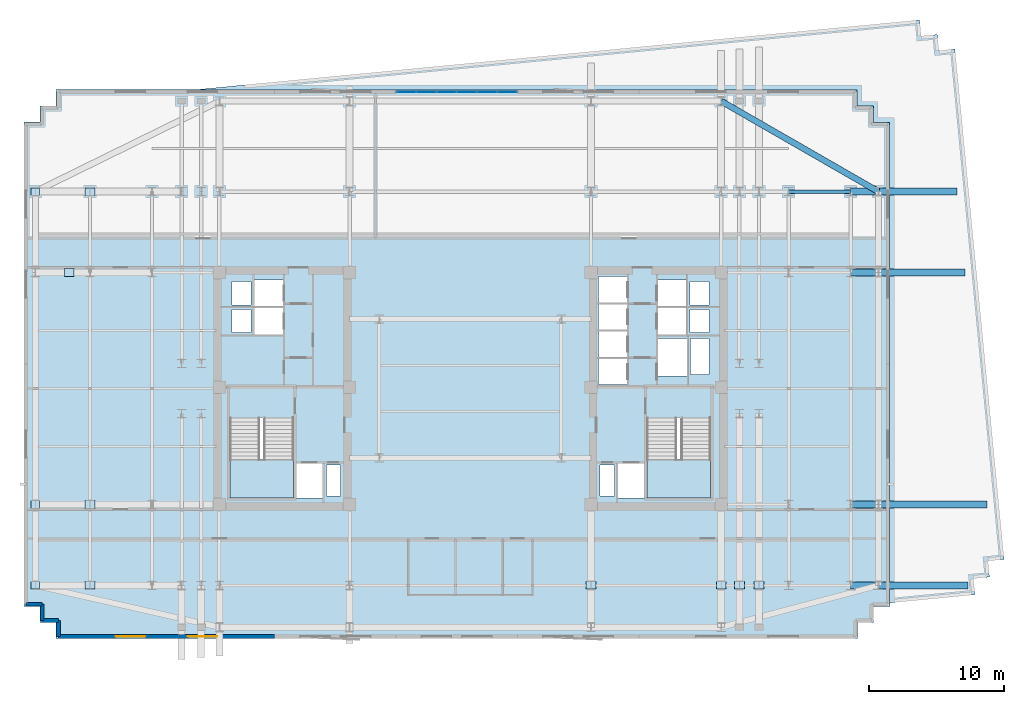
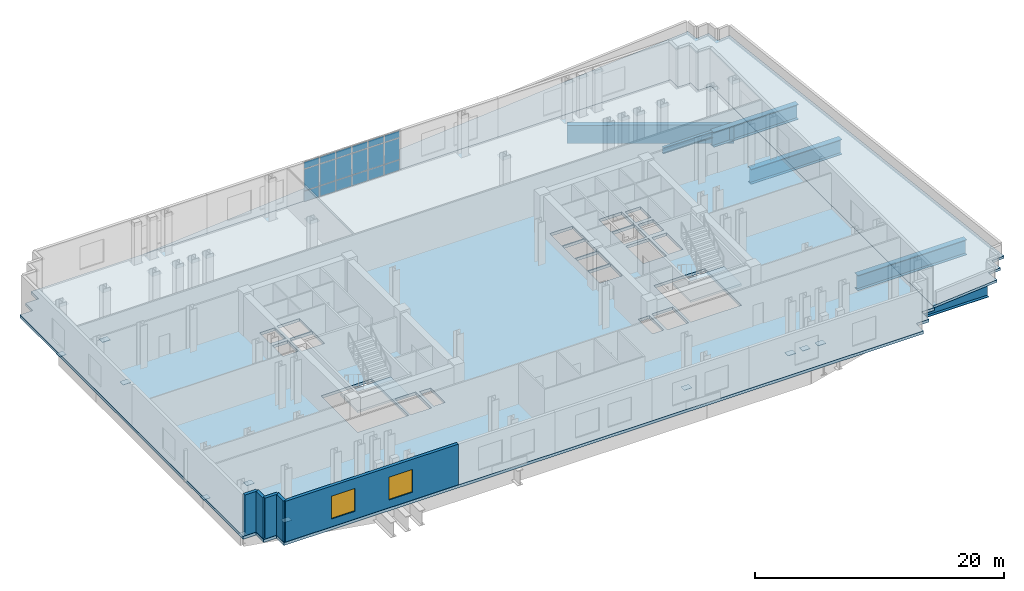
# One storey, part 5 of 14: 29 plates, 6 beams, 5 walls, 4 slabs, 2 windows, 2 openings, 3 elements without a shape of their own.
"""IFC4 building model written with IfcOpenShell, lengths in metres."""

from ifc_helpers import new_model, si_unit, direction, frame, frame_2d, origin, origin_2d, place, context, subcontext, project, spatial, polyline, rectangle, i_section, outline, extrude, material, layer, layer_set, material_profile, profile_set, type_object, element, fill, aggregate, save


model = new_model("IFC4")

# Units and contexts
model_context = context("Model", 3, precision=1e-05, world=origin(), true_north=direction((0.0, 1.0)))
body_context = subcontext(model_context, "Body", "Model", "MODEL_VIEW")
ifc_project = project(units=[si_unit("LENGTHUNIT", "METRE"), si_unit("AREAUNIT", "SQUARE_METRE"), si_unit("VOLUMEUNIT", "CUBIC_METRE"), si_unit("PLANEANGLEUNIT", "RADIAN"), si_unit("MASSUNIT", "GRAM", prefix="KILO")], contexts=[model_context])

# Site, building, storey
site_placement = place(None, origin())
site = spatial("IfcSite", under=ifc_project, at=site_placement, CompositionType="ELEMENT")
building_placement = place(site_placement, origin())
building = spatial("IfcBuilding", under=site, at=building_placement, Name="Velakula Bourse", CompositionType="ELEMENT")
storey_placement = place(building_placement, frame((0.0, 0.0, 116.64990234375)))
storey = spatial("IfcBuildingStorey", under=building, at=storey_placement, Name="L31", CompositionType="ELEMENT", Elevation=116.64990234375)

# Beams
ifc_material_1 = material(Name="Steel IS 2062 Grade 350 (E350)", Category="steel")
ifc_material_profile_1 = material_profile(ifc_material_1, i_section(OverallWidth=0.25, OverallDepth=0.60009765625, WebThickness=0.01123046875, FlangeThickness=0.021240234375, at=origin_2d()), Name="Steel IS 2062 Grade 350 (E350)")
ifc_profile_set_1 = profile_set([ifc_material_profile_1], Name="Steel IS 2062 Grade 350 (E350)")
beam_type_1 = type_object("IfcBeamType", Name="BM-GRD-600M", PredefinedType="BEAM", material=ifc_profile_set_1)
beam_1_placement = place(storey_placement, frame((23.60009765625, 14.60009765625, -0.579833984375), z_axis=(1.0, 0.0, 0.0), x_axis=(0.0, 1.0, 0.0)))
element("IfcBeam", 1, at=beam_1_placement, inside=storey, type_object=beam_type_1, Name="L31 Fulcrum Grid Girder WNG-EN2", PredefinedType="BEAM", context=body_context, shape_type="SweptSolid", body=[
    extrude(i_section(OverallWidth=0.25, OverallDepth=0.60009765625, WebThickness=0.01123046875, FlangeThickness=0.021240234375, at=origin_2d()), origin(), (0.0, 0.0, 1.0), 4.599853515625),
])
ifc_material_2 = material(Name="Concrete M50 (fck 50 MPa)", Category="concrete")
ifc_material_profile_2 = material_profile(ifc_material_2, rectangle(XDim=0.449951171875, YDim=1.800048828125, at=origin_2d()), Name="Concrete M50 (fck 50 MPa)")
ifc_profile_set_2 = profile_set([ifc_material_profile_2], Name="Concrete M50 (fck 50 MPa)")
beam_type_2 = type_object("IfcBeamType", Name="SPN-TRF-1800", PredefinedType="SPANDREL", material=ifc_profile_set_2)
beam_2_placement = place(storey_placement, frame((30.25, 14.60009765625, -1.179931640625), z_axis=(-0.866865871572, 0.498541433286, 0.0), x_axis=(-0.498541433286, -0.866865871572, 0.0)))
element("IfcBeam", 2, at=beam_2_placement, inside=storey, type_object=beam_type_2, Name="L31 Brick-Faced Precast Spandrel E4-N4", PredefinedType="SPANDREL", context=body_context, shape_type="SweptSolid", body=[
    extrude(rectangle(XDim=0.449951171875, YDim=1.800048828125, at=origin_2d()), origin(), (0.0, 0.0, 1.0), 13.439208984375),
])
ifc_material_3 = material(Name="Steel IS 2062 Grade 450 (E450)", Category="steel")
ifc_material_profile_3 = material_profile(ifc_material_3, i_section(OverallWidth=0.52001953125, OverallDepth=1.5, WebThickness=0.030029296875, FlangeThickness=0.048095703125, at=origin_2d()), Name="Steel IS 2062 Grade 450 (E450)")
ifc_profile_set_3 = profile_set([ifc_material_profile_3], Name="Steel IS 2062 Grade 450 (E450)")
beam_type_3 = type_object("IfcBeamType", Name="TB-CANT-1500", PredefinedType="BEAM", material=ifc_profile_set_3)
beam_3_placement = place(storey_placement, frame((28.199951171875, -14.60009765625, -1.02978515625), z_axis=(1.0, 0.0, 0.0), x_axis=(0.0, 1.0, 0.0)))
element("IfcBeam", 3, at=beam_3_placement, inside=storey, type_object=beam_type_3, Name="L31 Block B3 Transfer Girder E1", PredefinedType="BEAM", context=body_context, shape_type="SweptSolid", body=[
    extrude(i_section(OverallWidth=0.52001953125, OverallDepth=1.5, WebThickness=0.030029296875, FlangeThickness=0.048095703125, at=origin_2d()), origin(), (0.0, 0.0, 1.0), 8.688232421875),
])
beam_4_placement = place(storey_placement, frame((28.199951171875, -8.60009765625, -1.02978515625), z_axis=(1.0, 0.0, 0.0), x_axis=(0.0, 1.0, 0.0)))
element("IfcBeam", 4, at=beam_4_placement, inside=storey, type_object=beam_type_3, Name="L31 Block B3 Transfer Girder E2", PredefinedType="BEAM", context=body_context, shape_type="SweptSolid", body=[
    extrude(i_section(OverallWidth=0.52001953125, OverallDepth=1.5, WebThickness=0.030029296875, FlangeThickness=0.048095703125, at=origin_2d()), origin(), (0.0, 0.0, 1.0), 10.119873046875),
])
beam_5_placement = place(storey_placement, frame((28.199951171875, 8.60009765625, -1.02978515625), z_axis=(1.0, 0.0, 0.0), x_axis=(0.0, 1.0, 0.0)))
element("IfcBeam", 5, at=beam_5_placement, inside=storey, type_object=beam_type_3, Name="L31 Block B3 Transfer Girder E3", PredefinedType="BEAM", context=body_context, shape_type="SweptSolid", body=[
    extrude(i_section(OverallWidth=0.52001953125, OverallDepth=1.5, WebThickness=0.030029296875, FlangeThickness=0.048095703125, at=origin_2d()), origin(), (0.0, 0.0, 1.0), 8.463623046875),
])
beam_6_placement = place(storey_placement, frame((28.199951171875, 14.60009765625, -1.02978515625), z_axis=(1.0, 0.0, 0.0), x_axis=(0.0, 1.0, 0.0)))
element("IfcBeam", 6, at=beam_6_placement, inside=storey, type_object=beam_type_3, Name="L31 Block B3 Transfer Girder E4", PredefinedType="BEAM", context=body_context, shape_type="SweptSolid", body=[
    extrude(i_section(OverallWidth=0.52001953125, OverallDepth=1.5, WebThickness=0.030029296875, FlangeThickness=0.048095703125, at=origin_2d()), origin(), (0.0, 0.0, 1.0), 7.885986328125),
])

# Plates
ifc_layer_1 = layer(ifc_material_1, 0.0400390625, Name="Steel IS 2062 Grade 350 (E350)", Category="steel")
ifc_layer_set_1 = layer_set([ifc_layer_1], Name="Steel IS 2062 Grade 350 (E350)")
plate_type_1 = type_object("IfcPlateType", Name="PLT-NODE-TRF", PredefinedType="USERDEFINED", material=ifc_layer_set_1)
for number, where, z_axis, x_axis, name in (
    (7, (8.949951171875, -14.60009765625, -1.0498046875), (0.0, 0.0, 1.0), (0.0, 1.0, 0.0), "L31 Cantilever Fulcrum Node Gusset Plate S3"),
    (8, (18.60009765625, -14.60009765625, -1.0498046875), (0.0, 0.0, 1.0), (0.0, 1.0, 0.0), "L31 Cantilever Fulcrum Node Gusset Plate S4"),
):
    element("IfcPlate", number, at=place(storey_placement, frame(where, z_axis=z_axis, x_axis=x_axis)), inside=storey, type_object=plate_type_1, Name=name, ObjectType="GUSSET PLATE", PredefinedType="USERDEFINED", context=body_context, shape_type="SweptSolid", body=[
        extrude(rectangle(XDim=0.56005859375, YDim=0.719970703125, at=origin_2d()), origin(), (0.0, 0.0, 1.0), 0.0400390625),
    ])
plate_1_placement = place(storey_placement, frame((-32.25, -14.60009765625, -1.0498046875), z_axis=(0.0, 0.0, 1.0), x_axis=(-1.0, 0.0, 0.0)))
element("IfcPlate", 9, at=plate_1_placement, inside=storey, type_object=plate_type_1, Name="L31 Transfer Raking Strut Head Gusset W1", ObjectType="GUSSET PLATE", PredefinedType="USERDEFINED", context=body_context, shape_type="SweptSolid", body=[
    extrude(rectangle(XDim=0.639892578125, YDim=0.56005859375, at=origin_2d()), origin(), (0.0, 0.0, 1.0), 0.0400390625),
])
plate_2_placement = place(storey_placement, frame((-28.199951171875, -14.60009765625, -1.0498046875), z_axis=(0.0, 0.0, 1.0), x_axis=(1.0, 0.0, 0.0)))
element("IfcPlate", 10, at=plate_2_placement, inside=storey, type_object=plate_type_1, Name="L31 Cantilever Fulcrum Node Gusset Plate W1", ObjectType="GUSSET PLATE", PredefinedType="USERDEFINED", context=body_context, shape_type="SweptSolid", body=[
    extrude(rectangle(XDim=0.719970703125, YDim=0.56005859375, at=origin_2d()), origin(), (0.0, 0.0, 1.0), 0.0400390625),
])
plate_3_placement = place(storey_placement, frame((-32.25, -8.60009765625, -1.0498046875), z_axis=(0.0, 0.0, 1.0), x_axis=(-1.0, 0.0, 0.0)))
element("IfcPlate", 11, at=plate_3_placement, inside=storey, type_object=plate_type_1, Name="L31 Transfer Raking Strut Head Gusset W2", ObjectType="GUSSET PLATE", PredefinedType="USERDEFINED", context=body_context, shape_type="SweptSolid", body=[
    extrude(rectangle(XDim=0.639892578125, YDim=0.56005859375, at=origin_2d()), origin(), (0.0, 0.0, 1.0), 0.0400390625),
])
for number, where, z_axis, x_axis, name in (
    (12, (-28.199951171875, -8.60009765625, -1.0498046875), (0.0, 0.0, 1.0), (1.0, 0.0, 0.0), "L31 Cantilever Fulcrum Node Gusset Plate W2"),
    (13, (-29.7421875, 8.60009765625, -1.0498046875), (0.0, 0.0, 1.0), (1.0, 0.0, 0.0), "L31 Cantilever Fulcrum Node Gusset Plate W3"),
):
    element("IfcPlate", number, at=place(storey_placement, frame(where, z_axis=z_axis, x_axis=x_axis)), inside=storey, type_object=plate_type_1, Name=name, ObjectType="GUSSET PLATE", PredefinedType="USERDEFINED", context=body_context, shape_type="SweptSolid", body=[
        extrude(rectangle(XDim=0.719970703125, YDim=0.56005859375, at=origin_2d()), origin(), (0.0, 0.0, 1.0), 0.0400390625),
    ])
plate_4_placement = place(storey_placement, frame((-32.25, 14.60009765625, -1.0498046875), z_axis=(0.0, 0.0, 1.0), x_axis=(-1.0, 0.0, 0.0)))
element("IfcPlate", 14, at=plate_4_placement, inside=storey, type_object=plate_type_1, Name="L31 Transfer Raking Strut Head Gusset W4", ObjectType="GUSSET PLATE", PredefinedType="USERDEFINED", context=body_context, shape_type="SweptSolid", body=[
    extrude(rectangle(XDim=0.639892578125, YDim=0.56005859375, at=origin_2d()), origin(), (0.0, 0.0, 1.0), 0.0400390625),
])
plate_5_placement = place(storey_placement, frame((-28.199951171875, 14.60009765625, -1.0498046875), z_axis=(0.0, 0.0, 1.0), x_axis=(1.0, 0.0, 0.0)))
element("IfcPlate", 15, at=plate_5_placement, inside=storey, type_object=plate_type_1, Name="L31 Cantilever Fulcrum Node Gusset Plate W4", ObjectType="GUSSET PLATE", PredefinedType="USERDEFINED", context=body_context, shape_type="SweptSolid", body=[
    extrude(rectangle(XDim=0.719970703125, YDim=0.56005859375, at=origin_2d()), origin(), (0.0, 0.0, 1.0), 0.0400390625),
])
for number, where, z_axis, x_axis, name in (
    (16, (19.949951171875, -14.60009765625, -1.0498046875), (0.0, 0.0, 1.0), (0.0, 1.0, 0.0), "L31 Cantilever Fulcrum Node Gusset Plate P03"),
    (17, (21.39990234375, -14.60009765625, -1.0498046875), (0.0, 0.0, 1.0), (0.0, 1.0, 0.0), "L31 Cantilever Fulcrum Node Gusset Plate P04"),
):
    element("IfcPlate", number, at=place(storey_placement, frame(where, z_axis=z_axis, x_axis=x_axis)), inside=storey, type_object=plate_type_1, Name=name, ObjectType="GUSSET PLATE", PredefinedType="USERDEFINED", context=body_context, shape_type="SweptSolid", body=[
        extrude(rectangle(XDim=0.56005859375, YDim=0.719970703125, at=origin_2d()), origin(), (0.0, 0.0, 1.0), 0.0400390625),
    ])

# Curtain wall, plates
ifc_material_4 = material(Name="Anodised bronze architectural aluminium", Category="aluminium")
ifc_layer_2 = layer(ifc_material_4, 0.1650390625, Name="Anodised bronze architectural aluminium", Category="aluminium")
ifc_layer_set_2 = layer_set([ifc_layer_2], Name="Anodised bronze architectural aluminium")
curtain_wall_type = type_object("IfcCurtainWallType", Name="CW-SL1", PredefinedType="NOTDEFINED", material=ifc_layer_set_2)
curtain_wall_placement = place(storey_placement, origin())
curtain_wall = element("IfcCurtainWall", 18, at=curtain_wall_placement, inside=storey, type_object=curtain_wall_type, Name="L31 Sky-Lobby Feature Curtain Wall", PredefinedType="NOTDEFINED")
ifc_material_5 = material(Name="Double-glazed solar-control Low-E glass", Category="glass")
ifc_layer_3 = layer(ifc_material_5, 0.02490234375, Name="Double-glazed solar-control Low-E glass", Category="glass")
ifc_layer_set_3 = layer_set([ifc_layer_3], Name="Double-glazed solar-control Low-E glass")
plate_type_2 = type_object("IfcPlateType", Name="PNL-CW-SL1", PredefinedType="CURTAIN_PANEL", material=ifc_layer_set_3)
plate_6_placement = place(storey_placement, frame((-4.735107421875, 21.989990234375, 0.06005859375), z_axis=(0.0, 0.0, 1.0), x_axis=(1.0, 0.0, 0.0)))
plate_6 = element("IfcPlate", 19, at=plate_6_placement, type_object=plate_type_2, Name="CW-SL1 panel 1.1", PredefinedType="CURTAIN_PANEL", context=body_context, shape_type="SweptSolid", body=[
    extrude(rectangle(XDim=1.409912109375, YDim=0.028076171875, at=origin_2d()), origin(), (0.0, 0.0, 1.0), 1.010009765625),
])
plate_7_placement = place(storey_placement, frame((-4.735107421875, 21.989990234375, 1.1298828125), z_axis=(0.0, 0.0, 1.0), x_axis=(1.0, 0.0, 0.0)))
plate_7 = element("IfcPlate", 20, at=plate_7_placement, type_object=plate_type_2, Name="CW-SL1 panel 1.2", PredefinedType="CURTAIN_PANEL", context=body_context, shape_type="SweptSolid", body=[
    extrude(rectangle(XDim=1.409912109375, YDim=0.028076171875, at=origin_2d()), origin(), (0.0, 0.0, 1.0), 2.090087890625),
])
plate_8_placement = place(storey_placement, frame((-4.735107421875, 21.989990234375, 3.2802734375), z_axis=(0.0, 0.0, 1.0), x_axis=(1.0, 0.0, 0.0)))
plate_8 = element("IfcPlate", 21, at=plate_8_placement, type_object=plate_type_2, Name="CW-SL1 panel 1.3", PredefinedType="CURTAIN_PANEL", context=body_context, shape_type="SweptSolid", body=[
    extrude(rectangle(XDim=1.409912109375, YDim=0.028076171875, at=origin_2d()), origin(), (0.0, 0.0, 1.0), 0.659912109375),
])
plate_9_placement = place(storey_placement, frame((-3.25, 21.989990234375, 0.06005859375), z_axis=(0.0, 0.0, 1.0), x_axis=(1.0, 0.0, 0.0)))
plate_9 = element("IfcPlate", 22, at=plate_9_placement, type_object=plate_type_2, Name="CW-SL1 panel 2.1", PredefinedType="CURTAIN_PANEL", context=body_context, shape_type="SweptSolid", body=[
    extrude(rectangle(XDim=1.43994140625, YDim=0.028076171875, at=origin_2d()), origin(), (0.0, 0.0, 1.0), 1.010009765625),
])
plate_10_placement = place(storey_placement, frame((-3.25, 21.989990234375, 1.1298828125), z_axis=(0.0, 0.0, 1.0), x_axis=(1.0, 0.0, 0.0)))
plate_10 = element("IfcPlate", 23, at=plate_10_placement, type_object=plate_type_2, Name="CW-SL1 panel 2.2", PredefinedType="CURTAIN_PANEL", context=body_context, shape_type="SweptSolid", body=[
    extrude(rectangle(XDim=1.43994140625, YDim=0.028076171875, at=origin_2d()), origin(), (0.0, 0.0, 1.0), 2.090087890625),
])
plate_11_placement = place(storey_placement, frame((-3.25, 21.989990234375, 3.2802734375), z_axis=(0.0, 0.0, 1.0), x_axis=(1.0, 0.0, 0.0)))
plate_11 = element("IfcPlate", 24, at=plate_11_placement, type_object=plate_type_2, Name="CW-SL1 panel 2.3", PredefinedType="CURTAIN_PANEL", context=body_context, shape_type="SweptSolid", body=[
    extrude(rectangle(XDim=1.43994140625, YDim=0.028076171875, at=origin_2d()), origin(), (0.0, 0.0, 1.0), 0.659912109375),
])
plate_12_placement = place(storey_placement, frame((-1.75, 21.989990234375, 0.06005859375), z_axis=(0.0, 0.0, 1.0), x_axis=(1.0, 0.0, 0.0)))
plate_12 = element("IfcPlate", 25, at=plate_12_placement, type_object=plate_type_2, Name="CW-SL1 panel 3.1", PredefinedType="CURTAIN_PANEL", context=body_context, shape_type="SweptSolid", body=[
    extrude(rectangle(XDim=1.43994140625, YDim=0.028076171875, at=origin_2d()), origin(), (0.0, 0.0, 1.0), 1.010009765625),
])
plate_13_placement = place(storey_placement, frame((-1.75, 21.989990234375, 1.1298828125), z_axis=(0.0, 0.0, 1.0), x_axis=(1.0, 0.0, 0.0)))
plate_13 = element("IfcPlate", 26, at=plate_13_placement, type_object=plate_type_2, Name="CW-SL1 panel 3.2", PredefinedType="CURTAIN_PANEL", context=body_context, shape_type="SweptSolid", body=[
    extrude(rectangle(XDim=1.43994140625, YDim=0.028076171875, at=origin_2d()), origin(), (0.0, 0.0, 1.0), 2.090087890625),
])
plate_14_placement = place(storey_placement, frame((-1.75, 21.989990234375, 3.2802734375), z_axis=(0.0, 0.0, 1.0), x_axis=(1.0, 0.0, 0.0)))
plate_14 = element("IfcPlate", 27, at=plate_14_placement, type_object=plate_type_2, Name="CW-SL1 panel 3.3", PredefinedType="CURTAIN_PANEL", context=body_context, shape_type="SweptSolid", body=[
    extrude(rectangle(XDim=1.43994140625, YDim=0.028076171875, at=origin_2d()), origin(), (0.0, 0.0, 1.0), 0.659912109375),
])
plate_15_placement = place(storey_placement, frame((-0.25, 21.989990234375, 0.06005859375), z_axis=(0.0, 0.0, 1.0), x_axis=(1.0, 0.0, 0.0)))
plate_15 = element("IfcPlate", 28, at=plate_15_placement, type_object=plate_type_2, Name="CW-SL1 panel 4.1", PredefinedType="CURTAIN_PANEL", context=body_context, shape_type="SweptSolid", body=[
    extrude(rectangle(XDim=1.43994140625, YDim=0.028076171875, at=origin_2d()), origin(), (0.0, 0.0, 1.0), 1.010009765625),
])
plate_16_placement = place(storey_placement, frame((-0.25, 21.989990234375, 1.1298828125), z_axis=(0.0, 0.0, 1.0), x_axis=(1.0, 0.0, 0.0)))
plate_16 = element("IfcPlate", 29, at=plate_16_placement, type_object=plate_type_2, Name="CW-SL1 panel 4.2", PredefinedType="CURTAIN_PANEL", context=body_context, shape_type="SweptSolid", body=[
    extrude(rectangle(XDim=1.43994140625, YDim=0.028076171875, at=origin_2d()), origin(), (0.0, 0.0, 1.0), 2.090087890625),
])
plate_17_placement = place(storey_placement, frame((-0.25, 21.989990234375, 3.2802734375), z_axis=(0.0, 0.0, 1.0), x_axis=(1.0, 0.0, 0.0)))
plate_17 = element("IfcPlate", 30, at=plate_17_placement, type_object=plate_type_2, Name="CW-SL1 panel 4.3", PredefinedType="CURTAIN_PANEL", context=body_context, shape_type="SweptSolid", body=[
    extrude(rectangle(XDim=1.43994140625, YDim=0.028076171875, at=origin_2d()), origin(), (0.0, 0.0, 1.0), 0.659912109375),
])
plate_18_placement = place(storey_placement, frame((1.25, 21.989990234375, 0.06005859375), z_axis=(0.0, 0.0, 1.0), x_axis=(1.0, 0.0, 0.0)))
plate_18 = element("IfcPlate", 31, at=plate_18_placement, type_object=plate_type_2, Name="CW-SL1 panel 5.1", PredefinedType="CURTAIN_PANEL", context=body_context, shape_type="SweptSolid", body=[
    extrude(rectangle(XDim=1.43994140625, YDim=0.028076171875, at=origin_2d()), origin(), (0.0, 0.0, 1.0), 1.010009765625),
])
plate_19_placement = place(storey_placement, frame((1.25, 21.989990234375, 1.1298828125), z_axis=(0.0, 0.0, 1.0), x_axis=(1.0, 0.0, 0.0)))
plate_19 = element("IfcPlate", 32, at=plate_19_placement, type_object=plate_type_2, Name="CW-SL1 panel 5.2", PredefinedType="CURTAIN_PANEL", context=body_context, shape_type="SweptSolid", body=[
    extrude(rectangle(XDim=1.43994140625, YDim=0.028076171875, at=origin_2d()), origin(), (0.0, 0.0, 1.0), 2.090087890625),
])
plate_20_placement = place(storey_placement, frame((1.25, 21.989990234375, 3.2802734375), z_axis=(0.0, 0.0, 1.0), x_axis=(1.0, 0.0, 0.0)))
plate_20 = element("IfcPlate", 33, at=plate_20_placement, type_object=plate_type_2, Name="CW-SL1 panel 5.3", PredefinedType="CURTAIN_PANEL", context=body_context, shape_type="SweptSolid", body=[
    extrude(rectangle(XDim=1.43994140625, YDim=0.028076171875, at=origin_2d()), origin(), (0.0, 0.0, 1.0), 0.659912109375),
])
plate_21_placement = place(storey_placement, frame((2.735107421875, 21.989990234375, 0.06005859375), z_axis=(0.0, 0.0, 1.0), x_axis=(1.0, 0.0, 0.0)))
plate_21 = element("IfcPlate", 34, at=plate_21_placement, type_object=plate_type_2, Name="CW-SL1 panel 6.1", PredefinedType="CURTAIN_PANEL", context=body_context, shape_type="SweptSolid", body=[
    extrude(rectangle(XDim=1.409912109375, YDim=0.028076171875, at=origin_2d()), origin(), (0.0, 0.0, 1.0), 1.010009765625),
])
plate_22_placement = place(storey_placement, frame((2.735107421875, 21.989990234375, 1.1298828125), z_axis=(0.0, 0.0, 1.0), x_axis=(1.0, 0.0, 0.0)))
plate_22 = element("IfcPlate", 35, at=plate_22_placement, type_object=plate_type_2, Name="CW-SL1 panel 6.2", PredefinedType="CURTAIN_PANEL", context=body_context, shape_type="SweptSolid", body=[
    extrude(rectangle(XDim=1.409912109375, YDim=0.028076171875, at=origin_2d()), origin(), (0.0, 0.0, 1.0), 2.090087890625),
])
plate_23_placement = place(storey_placement, frame((2.735107421875, 21.989990234375, 3.2802734375), z_axis=(0.0, 0.0, 1.0), x_axis=(1.0, 0.0, 0.0)))
plate_23 = element("IfcPlate", 36, at=plate_23_placement, type_object=plate_type_2, Name="CW-SL1 panel 6.3", PredefinedType="CURTAIN_PANEL", context=body_context, shape_type="SweptSolid", body=[
    extrude(rectangle(XDim=1.409912109375, YDim=0.028076171875, at=origin_2d()), origin(), (0.0, 0.0, 1.0), 0.659912109375),
])
aggregate(curtain_wall, [plate_6, plate_7, plate_8, plate_9, plate_10, plate_11, plate_12, plate_13, plate_14, plate_15, plate_16, plate_17, plate_18, plate_19, plate_20, plate_21, plate_22, plate_23])

# Slab
ifc_layer_4 = layer(ifc_material_2, 0.239990234375, Name="Concrete M50 (fck 50 MPa)", Category="concrete")
ifc_layer_set_4 = layer_set([ifc_layer_4], Name="Concrete M50 (fck 50 MPa)")
slab_type_1 = type_object("IfcSlabType", Name="SLB-CRN-ROOF-240", PredefinedType="ROOF", material=ifc_layer_set_4)
slab_1_placement = place(storey_placement, frame((0.0, 0.0, -0.239990234375)))
element("IfcSlab", 37, at=slab_1_placement, inside=storey, type_object=slab_type_1, Name="L31 Block B2 Step-In Roof", PredefinedType="ROOF", context=body_context, shape_type="SweptSolid", body=[
    extrude(outline(polyline([(33.303955078125, 27.320556640625), (33.4189453125, 26.126220703125), (34.61328125, 26.2412109375), (34.728515625, 25.046630859375), (35.9228515625, 25.16162109375), (39.56494140625, -12.663330078125), (38.37060546875, -12.7783203125), (38.485595703125, -13.972900390625), (37.291015625, -14.087890625), (37.406005859375, -15.2822265625), (31.080078125, -15.8916015625), (31.080078125, 19.72998046875), (29.89990234375, 19.72998046875), (29.89794921875, 19.72998046875), (29.89599609375, 19.73046875), (29.894287109375, 19.73095703125), (29.892333984375, 19.7314453125), (29.890625, 19.732421875), (29.888916015625, 19.7333984375), (29.88720703125, 19.734619140625), (29.885986328125, 19.73583984375), (29.884521484375, 19.7373046875), (29.88330078125, 19.739013671875), (29.88232421875, 19.740478515625), (29.881591796875, 19.7421875), (29.880859375, 19.744140625), (29.88037109375, 19.74609375), (29.880126953125, 19.748046875), (29.8798828125, 19.75), (29.8798828125, 20.929931640625), (28.699951171875, 20.929931640625), (28.697998046875, 20.93017578125), (28.696044921875, 20.930419921875), (28.694091796875, 20.930908203125), (28.6923828125, 20.931396484375), (28.690673828125, 20.932373046875), (28.68896484375, 20.933349609375), (28.687255859375, 20.9345703125), (28.685791015625, 20.935791015625), (28.6845703125, 20.937255859375), (28.683349609375, 20.93896484375), (28.682373046875, 20.940673828125), (28.681396484375, 20.9423828125), (28.680908203125, 20.944091796875), (28.680419921875, 20.946044921875), (28.68017578125, 20.947998046875), (28.679931640625, 20.949951171875), (28.679931640625, 22.1298828125), (-20.602783203125, 22.1298828125), (33.303955078125, 27.320556640625)])), origin(), (0.0, 0.0, 1.0), 0.239990234375),
])

# Stair, slab
ifc_material_6 = material(Name="Concrete M45 (fck 45 MPa)", Category="concrete")
stair_type = type_object("IfcStairType", Name="STR-DOG-435", PredefinedType="HALF_TURN_STAIR", material=ifc_material_6)
stair_1_placement = place(storey_placement, origin())
stair_1 = element("IfcStair", 38, at=stair_1_placement, inside=storey, type_object=stair_type, Name="L31 West Core Exit Stair ST-W1", PredefinedType="HALF_TURN_STAIR")
ifc_layer_5 = layer(ifc_material_6, 0.199951171875, Name="Concrete M45 (fck 45 MPa)", Category="concrete")
ifc_layer_set_5 = layer_set([ifc_layer_5], Name="Concrete M45 (fck 45 MPa)")
slab_type_2 = type_object("IfcSlabType", Name="SLB-STAIR-LND-200", PredefinedType="LANDING", material=ifc_layer_set_5)
slab_2_placement = place(storey_placement, frame((0.0, 0.0, 1.900146484375)))
slab_2 = element("IfcSlab", 39, at=slab_2_placement, type_object=slab_type_2, Name="ST-W1 landing 1", PredefinedType="LANDING", context=body_context, shape_type="SweptSolid", body=[
    extrude(outline(polyline([(-17.820068359375, -5.280029296875), (-17.820068359375, -8.10009765625), (-13.10009765625, -8.10009765625), (-13.10009765625, -5.280029296875), (-17.820068359375, -5.280029296875)])), origin(), (0.0, 0.0, 1.0), 0.199951171875),
])
aggregate(stair_1, [slab_2])

stair_2_placement = place(storey_placement, origin())
stair_2 = element("IfcStair", 40, at=stair_2_placement, inside=storey, type_object=stair_type, Name="L31 East Core Exit Stair ST-E1", PredefinedType="HALF_TURN_STAIR")
slab_3_placement = place(storey_placement, frame((0.0, 0.0, 1.900146484375)))
slab_3 = element("IfcSlab", 41, at=slab_3_placement, type_object=slab_type_2, Name="ST-E1 landing 1", PredefinedType="LANDING", context=body_context, shape_type="SweptSolid", body=[
    extrude(outline(polyline([(13.10009765625, -5.280029296875), (13.10009765625, -8.10009765625), (17.820068359375, -8.10009765625), (17.820068359375, -5.280029296875), (13.10009765625, -5.280029296875)])), origin(), (0.0, 0.0, 1.0), 0.199951171875),
])
aggregate(stair_2, [slab_3])

# Slab
ifc_layer_6 = layer(ifc_material_2, 0.280029296875, Name="Concrete M50 (fck 50 MPa)", Category="concrete")
ifc_layer_set_6 = layer_set([ifc_layer_6], Name="Concrete M50 (fck 50 MPa)")
slab_type_3 = type_object("IfcSlabType", Name="SLB-TRF-280", PredefinedType="FLOOR", material=ifc_layer_set_6)
slab_4_placement = place(storey_placement, frame((0.0, 0.0, -0.27978515625)))
element("IfcSlab", 42, at=slab_4_placement, inside=storey, type_object=slab_type_3, Name="L31 Suspended Structural Floor Slab", PredefinedType="FLOOR", context=body_context, shape_type="SweptSolid", body=[
    extrude(outline(polyline([(-30.699951171875, -18.550048828125), (28.699951171875, -18.550048828125), (28.699951171875, -17.35009765625), (29.89990234375, -17.35009765625), (29.89990234375, -16.14990234375), (31.10009765625, -16.14990234375), (31.10009765625, 19.75), (29.89990234375, 19.75), (29.89990234375, 20.949951171875), (28.699951171875, 20.949951171875), (28.699951171875, 22.14990234375), (-30.699951171875, 22.14990234375), (-30.699951171875, 20.949951171875), (-31.89990234375, 20.949951171875), (-31.89990234375, 19.75), (-33.10009765625, 19.75), (-33.10009765625, -16.14990234375), (-31.89990234375, -16.14990234375), (-31.89990234375, -17.35009765625), (-30.699951171875, -17.35009765625), (-30.699951171875, -18.550048828125)]), holes=[polyline([(-17.820068359375, -8.10009765625), (-13.10009765625, -8.10009765625), (-13.10009765625, -2.199951171875), (-17.820068359375, -2.199951171875), (-17.820068359375, -8.10009765625)]), polyline([(13.10009765625, -8.10009765625), (17.820068359375, -8.10009765625), (17.820068359375, -2.199951171875), (13.10009765625, -2.199951171875), (13.10009765625, -8.10009765625)]), polyline([(-12.89990234375, -8.10009765625), (-10.949951171875, -8.10009765625), (-10.949951171875, -5.550048828125), (-12.89990234375, -5.550048828125), (-12.89990234375, -8.10009765625)]), polyline([(10.949951171875, -8.10009765625), (12.89990234375, -8.10009765625), (12.89990234375, -5.550048828125), (10.949951171875, -5.550048828125), (10.949951171875, -8.10009765625)]), polyline([(13.89990234375, 0.919921875), (16.050048828125, 0.919921875), (16.050048828125, 3.719970703125), (13.89990234375, 3.719970703125), (13.89990234375, 0.919921875)]), polyline([(-10.679931640625, -7.97998046875), (-9.6201171875, -7.97998046875), (-9.6201171875, -5.669921875), (-10.679931640625, -5.669921875), (-10.679931640625, -7.97998046875)]), polyline([(-17.679931640625, 4.139892578125), (-16.27001953125, 4.139892578125), (-16.27001953125, 5.85009765625), (-17.679931640625, 5.85009765625), (-17.679931640625, 4.139892578125)]), polyline([(-17.679931640625, 6.2099609375), (-16.27001953125, 6.2099609375), (-16.27001953125, 7.919921875), (-17.679931640625, 7.919921875), (-17.679931640625, 6.2099609375)]), polyline([(9.6201171875, -7.97998046875), (10.679931640625, -7.97998046875), (10.679931640625, -5.669921875), (9.6201171875, -5.669921875), (9.6201171875, -7.97998046875)]), polyline([(16.27001953125, 4.139892578125), (17.679931640625, 4.139892578125), (17.679931640625, 5.85009765625), (16.27001953125, 5.85009765625), (16.27001953125, 4.139892578125)]), polyline([(16.27001953125, 6.2099609375), (17.679931640625, 6.2099609375), (17.679931640625, 7.919921875), (16.27001953125, 7.919921875), (16.27001953125, 6.2099609375)]), polyline([(16.320068359375, 1.0400390625), (17.679931640625, 1.0400390625), (17.679931640625, 3.699951171875), (16.320068359375, 3.699951171875), (16.320068359375, 1.0400390625)]), polyline([(9.5, 0.280029296875), (11.60009765625, 0.280029296875), (11.60009765625, 2.199951171875), (9.5, 2.199951171875), (9.5, 0.280029296875)]), polyline([(9.5, 2.31005859375), (11.60009765625, 2.31005859375), (11.60009765625, 4.22998046875), (9.5, 4.22998046875), (9.5, 2.31005859375)]), polyline([(9.5, 4.340087890625), (11.60009765625, 4.340087890625), (11.60009765625, 6.260009765625), (9.5, 6.260009765625), (9.5, 4.340087890625)]), polyline([(9.5, 6.3701171875), (11.60009765625, 6.3701171875), (11.60009765625, 8.2900390625), (9.5, 8.2900390625), (9.5, 6.3701171875)]), polyline([(-16.0, 4.02001953125), (-13.89990234375, 4.02001953125), (-13.89990234375, 5.969970703125), (-16.0, 5.969970703125), (-16.0, 4.02001953125)]), polyline([(-16.0, 6.090087890625), (-13.89990234375, 6.090087890625), (-13.89990234375, 8.0400390625), (-16.0, 8.0400390625), (-16.0, 6.090087890625)]), polyline([(13.89990234375, 4.02001953125), (16.0, 4.02001953125), (16.0, 5.969970703125), (13.89990234375, 5.969970703125), (13.89990234375, 4.02001953125)]), polyline([(13.89990234375, 6.090087890625), (16.0, 6.090087890625), (16.0, 8.0400390625), (13.89990234375, 8.0400390625), (13.89990234375, 6.090087890625)])]), origin(), (0.0, 0.0, 1.0), 0.27978515625),
])

# Wall, openings, windows
ifc_material_7 = material(Name="Red kilned clay facing brick masonry", Category="masonry")
ifc_layer_7 = layer(ifc_material_7, 0.280029296875, Name="Red kilned clay facing brick masonry", Category="masonry")
ifc_layer_set_7 = layer_set([ifc_layer_7], Name="Red kilned clay facing brick masonry")
wall_type = type_object("IfcWallType", Name="WL-EXT-BRK-280", PredefinedType="STANDARD", material=ifc_layer_set_7)
wall_placement = place(storey_placement, frame((-14.5, -18.389892578125, 0.0), z_axis=(0.0, 0.0, 1.0), x_axis=(-1.0, 0.0, 0.0)))
wall = element("IfcWall", 43, at=wall_placement, inside=storey, type_object=wall_type, Name="L31 S Brick Spandrel Wall B1", PredefinedType="STANDARD", context=body_context, shape_type="SweptSolid", body=[
    extrude(rectangle(XDim=16.0400390625, YDim=0.280029296875, at=frame_2d((8.02001953125, 0.0))), origin(), (0.0, 0.0, 1.0), 4.0),
])
opening_1_placement = place(wall_placement, frame((4.24658203125, 0.0, 0.760009765625)))
opening_1 = element("IfcOpeningElement", 44, at=opening_1_placement, cuts=wall, Name="Opening W-08", PredefinedType="OPENING", context=body_context, shape_type="SweptSolid", body=[
    extrude(rectangle(XDim=2.199951171875, YDim=2.25, at=frame_2d((1.10009765625, 1.125))), frame((0.0, 0.14990234375, 0.0), z_axis=(0.0, -1.0, 0.0), x_axis=(1.0, 0.0, 0.0)), (0.0, 0.0, 1.0), 0.300048828125),
])
opening_2_placement = place(wall_placement, frame((9.59326171875, 0.0, 0.760009765625)))
opening_2 = element("IfcOpeningElement", 45, at=opening_2_placement, cuts=wall, Name="Opening W-08", PredefinedType="OPENING", context=body_context, shape_type="SweptSolid", body=[
    extrude(rectangle(XDim=2.199951171875, YDim=2.25, at=frame_2d((1.10009765625, 1.125))), frame((0.0, 0.14990234375, 0.0), z_axis=(0.0, -1.0, 0.0), x_axis=(1.0, 0.0, 0.0)), (0.0, 0.0, 1.0), 0.300048828125),
])
window_type = type_object("IfcWindowType", Name="WIN-SL-2200x2500", PartitioningType="DOUBLE_PANEL_VERTICAL", PredefinedType="WINDOW", material=ifc_material_5)
window_1_placement = place(opening_1_placement, origin())
window_1 = element("IfcWindow", 46, at=window_1_placement, inside=storey, type_object=window_type, Name="L31 Deep-Set Recessed Window 1", OverallHeight=2.25, OverallWidth=2.199951171875, PartitioningType="DOUBLE_PANEL_VERTICAL", PredefinedType="WINDOW", context=body_context, shape_type="SweptSolid", body=[
    extrude(rectangle(XDim=2.199951171875, YDim=2.25, at=frame_2d((1.10009765625, 1.125))), frame((0.0, 0.030029296875, 0.0), z_axis=(0.0, -1.0, 0.0), x_axis=(1.0, 0.0, 0.0)), (0.0, 0.0, 1.0), 0.06005859375),
])
fill(opening_1, window_1)
window_2_placement = place(opening_2_placement, origin())
window_2 = element("IfcWindow", 47, at=window_2_placement, inside=storey, type_object=window_type, Name="L31 Deep-Set Recessed Window 2", OverallHeight=2.25, OverallWidth=2.199951171875, PartitioningType="DOUBLE_PANEL_VERTICAL", PredefinedType="WINDOW", context=body_context, shape_type="SweptSolid", body=[
    extrude(rectangle(XDim=2.199951171875, YDim=2.25, at=frame_2d((1.10009765625, 1.125))), frame((0.0, 0.030029296875, 0.0), z_axis=(0.0, -1.0, 0.0), x_axis=(1.0, 0.0, 0.0)), (0.0, 0.0, 1.0), 0.06005859375),
])
fill(opening_2, window_2)

# Walls
for number, where, z_axis, x_axis, name in (
    (48, (-32.93994140625, -15.989990234375, 0.0), (0.0, 0.0, 1.0), (1.0, 0.0, 0.0), "L31 Serrated Corner Brick Wall SW-1"),
    (49, (-31.739990234375, -15.989990234375, 0.0), (0.0, 0.0, 1.0), (0.0, -1.0, 0.0), "L31 Serrated Corner Brick Wall SW-2"),
    (50, (-31.739990234375, -17.18994140625, 0.0), (0.0, 0.0, 1.0), (1.0, 0.0, 0.0), "L31 Serrated Corner Brick Wall SW-3"),
    (51, (-30.5400390625, -17.18994140625, 0.0), (0.0, 0.0, 1.0), (0.0, -1.0, 0.0), "L31 Serrated Corner Brick Wall SW-4"),
):
    element("IfcWall", number, at=place(storey_placement, frame(where, z_axis=z_axis, x_axis=x_axis)), inside=storey, type_object=wall_type, Name=name, PredefinedType="STANDARD", context=body_context, shape_type="SweptSolid", body=[
        extrude(rectangle(XDim=1.199951171875, YDim=0.280029296875, at=frame_2d((0.60009765625, 0.0))), origin(), (0.0, 0.0, 1.0), 4.0),
    ])

save(model, "model.ifc")
